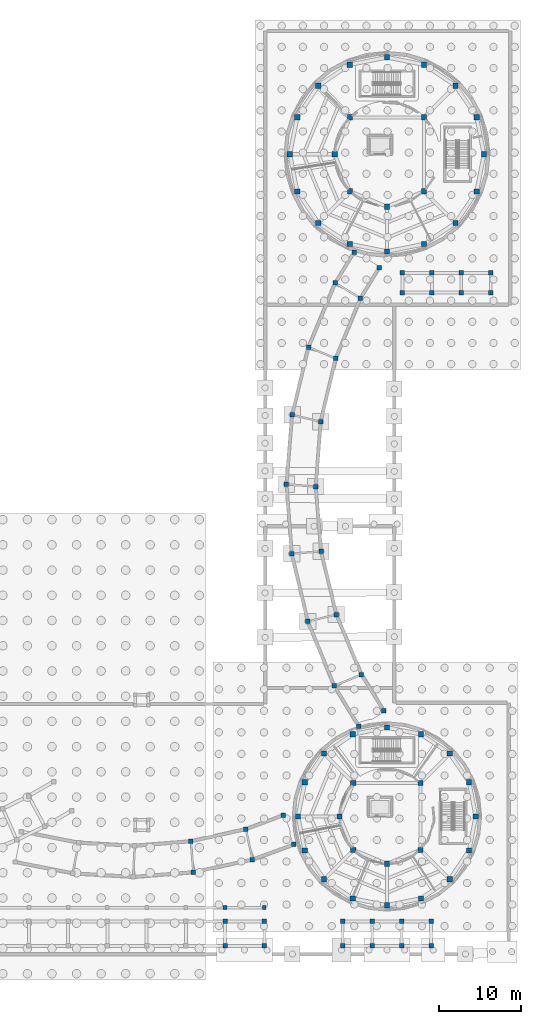
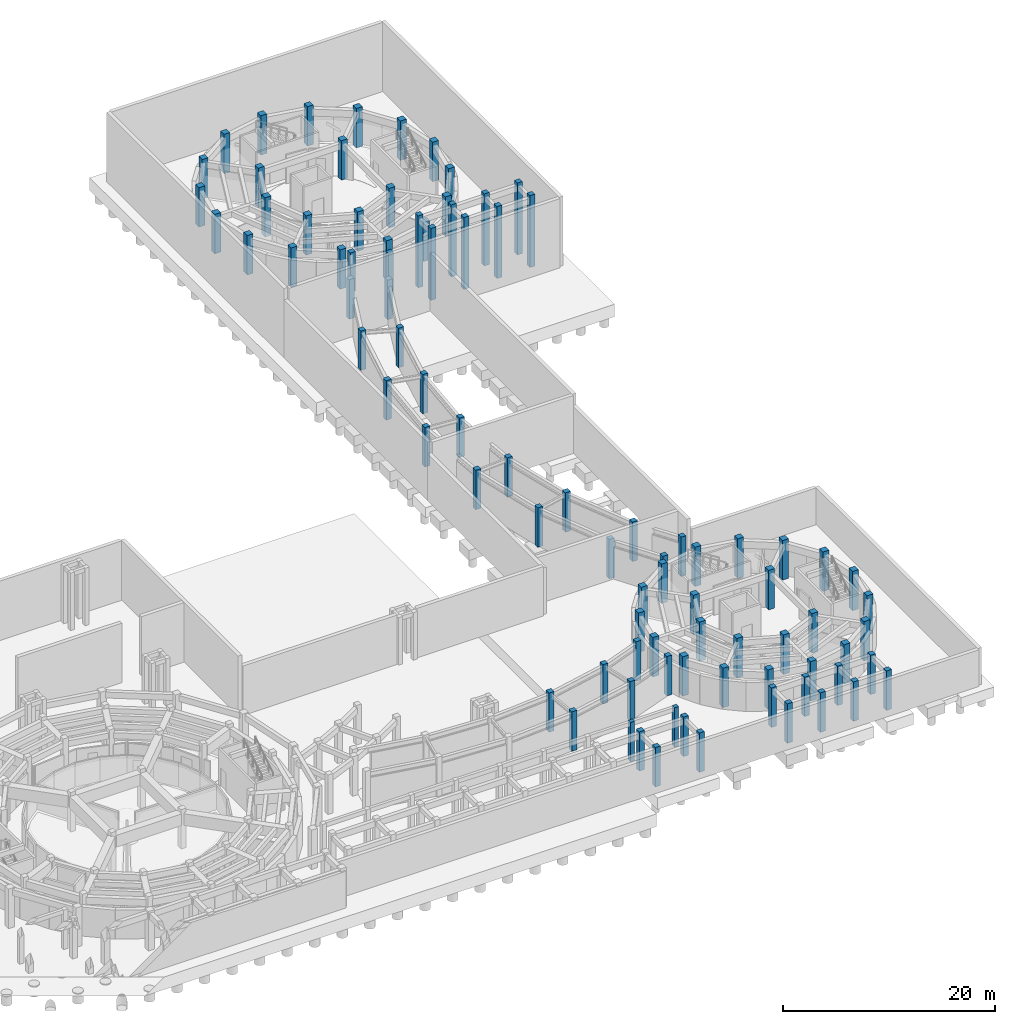
# One storey, part 13 of 57: 90 columns.
"""IFC4 building model written with IfcOpenShell, lengths in metres."""

from ifc_helpers import new_model, si_unit, direction, frame, origin, origin_2d, place, context, subcontext, project, spatial, rectangle, extrude, material, material_profile, profile_set, type_object, element, save


model = new_model("IFC4")

# Units and contexts
model_context = context("Model", 3, precision=1e-05, world=origin(), true_north=direction((0.0, 1.0)))
body_context = subcontext(model_context, "Body", "Model", "MODEL_VIEW")
ifc_project = project(units=[si_unit("LENGTHUNIT", "METRE"), si_unit("AREAUNIT", "SQUARE_METRE"), si_unit("VOLUMEUNIT", "CUBIC_METRE"), si_unit("PLANEANGLEUNIT", "RADIAN"), si_unit("MASSUNIT", "GRAM", prefix="KILO")], contexts=[model_context])

# Site, building, storey
site_placement = place(None, origin())
site = spatial("IfcSite", under=ifc_project, at=site_placement, CompositionType="ELEMENT")
building_placement = place(site_placement, origin())
building = spatial("IfcBuilding", under=site, at=building_placement, Name="Aldenvaro Health Centre", CompositionType="ELEMENT")
storey_placement = place(building_placement, frame((0.0, 0.0, -4.550048828125)))
storey = spatial("IfcBuildingStorey", under=building, at=storey_placement, Name="B1", CompositionType="ELEMENT", Elevation=-4.550048828125)

# Columns
ifc_material = material(Name="Concrete f'c 40 MPa", Category="concrete")
ifc_material_profile_1 = material_profile(ifc_material, rectangle(XDim=0.449951171875, YDim=0.449951171875, at=origin_2d()), Name="RC 450x450", Category="concrete")
ifc_profile_set_1 = profile_set([ifc_material_profile_1], Name="Concrete f'c 40 MPa")
column_type_1 = type_object("IfcColumnType", Name="COL-RC-450", PredefinedType="COLUMN", material=ifc_profile_set_1)
for number, where, z_axis, x_axis, name in (
    (1, (134.699951171875, 7.35009765625, 0.0), (0.0, 0.0, 1.0), (1.0, 0.0, 0.0), "Courtyard Screen E Substructure Pier 8"),
    (2, (139.5, 7.35009765625, 0.0), (0.0, 0.0, 1.0), (1.0, 0.0, 0.0), "Courtyard Screen E Substructure Pier 9"),
):
    element("IfcColumn", number, at=place(storey_placement, frame(where, z_axis=z_axis, x_axis=x_axis)), inside=storey, type_object=column_type_1, Name=name, PredefinedType="COLUMN", context=body_context, shape_type="SweptSolid", body=[
        extrude(rectangle(XDim=0.449951171875, YDim=0.449951171875, at=origin_2d()), origin(), (0.0, 0.0, 1.0), 4.550048828125),
    ])
ifc_material_profile_2 = material_profile(ifc_material, rectangle(XDim=0.550048828125, YDim=0.550048828125, at=origin_2d()), Name="RC 550x550", Category="concrete")
ifc_profile_set_2 = profile_set([ifc_material_profile_2], Name="Concrete f'c 40 MPa")
column_type_2 = type_object("IfcColumnType", Name="COL-RC-550", PredefinedType="COLUMN", material=ifc_profile_set_2)
for number, where, z_axis, x_axis, name in (
    (3, (130.52001953125, 15.45703125, 0.0), (0.0, 0.0, 1.0), (1.0, 0.0, 0.0), "South East Curved Peristyle Walkway Arc 3 B1 column 2.1"),
    (4, (130.818115234375, 11.6689453125, 0.0), (0.0, 0.0, 1.0), (1.0, 0.0, 0.0), "South East Curved Peristyle Walkway Arc 3 B1 column 2.2"),
    (5, (137.241943359375, 16.94091796875, 0.0), (0.0, 0.0, 1.0), (1.0, 0.0, 0.0), "South East Curved Peristyle Walkway Arc 4 B1 column 2.1"),
    (6, (138.052001953125, 13.22900390625, 0.0), (0.0, 0.0, 1.0), (1.0, 0.0, 0.0), "South East Curved Peristyle Walkway Arc 4 B1 column 2.2"),
    (7, (141.822998046875, 18.635986328125, 0.0), (0.0, 0.0, 1.0), (1.0, 0.0, 0.0), "South East Curved Peristyle Walkway Arc 5 B1 column 2.1"),
    (8, (143.12890625, 15.068115234375, 0.0), (0.0, 0.0, 1.0), (1.0, 0.0, 0.0), "South East Curved Peristyle Walkway Arc 5 B1 column 2.2"),
    (9, (153.55810546875, 85.64892578125, 0.0), (0.0, 0.0, 1.0), (1.0, 0.0, 0.0), "East Curved Garden Colonnade Arc 1 B1 column 1.1"),
    (10, (150.488037109375, 87.530029296875, 0.0), (0.0, 0.0, 1.0), (1.0, 0.0, 0.0), "East Curved Garden Colonnade Arc 1 B1 column 1.2"),
    (11, (151.257080078125, 81.89404296875, 0.0), (0.0, 0.0, 1.0), (1.0, 0.0, 0.0), "East Curved Garden Colonnade Arc 1 B1 column 2.1"),
    (12, (148.18701171875, 83.77587890625, 0.0), (0.0, 0.0, 1.0), (1.0, 0.0, 0.0), "East Curved Garden Colonnade Arc 1 B1 column 2.2"),
    (13, (148.23291015625, 74.533935546875, 0.0), (0.0, 0.0, 1.0), (1.0, 0.0, 0.0), "East Curved Garden Colonnade Arc 2 B1 column 2.1"),
    (14, (144.906982421875, 75.912109375, 0.0), (0.0, 0.0, 1.0), (1.0, 0.0, 0.0), "East Curved Garden Colonnade Arc 2 B1 column 2.2"),
    (15, (146.39599609375, 66.79296875, 0.0), (0.0, 0.0, 1.0), (1.0, 0.0, 0.0), "East Curved Garden Colonnade Arc 3 B1 column 2.1"),
    (16, (142.89599609375, 67.633056640625, 0.0), (0.0, 0.0, 1.0), (1.0, 0.0, 0.0), "East Curved Garden Colonnade Arc 3 B1 column 2.2"),
    (17, (145.7939453125, 58.85888671875, 0.0), (0.0, 0.0, 1.0), (1.0, 0.0, 0.0), "East Curved Garden Colonnade Arc 4 B1 column 2.1"),
    (18, (142.2060546875, 59.14111328125, 0.0), (0.0, 0.0, 1.0), (1.0, 0.0, 0.0), "East Curved Garden Colonnade Arc 4 B1 column 2.2"),
    (19, (146.43994140625, 50.927978515625, 0.0), (0.0, 0.0, 1.0), (1.0, 0.0, 0.0), "East Curved Garden Colonnade Arc 5 B1 column 2.1"),
    (20, (142.85205078125, 50.64599609375, 0.0), (0.0, 0.0, 1.0), (1.0, 0.0, 0.0), "East Curved Garden Colonnade Arc 5 B1 column 2.2"),
    (21, (148.320068359375, 43.197021484375, 0.0), (0.0, 0.0, 1.0), (1.0, 0.0, 0.0), "East Curved Garden Colonnade Arc 6 B1 column 2.1"),
    (22, (144.820068359375, 42.35693359375, 0.0), (0.0, 0.0, 1.0), (1.0, 0.0, 0.0), "East Curved Garden Colonnade Arc 6 B1 column 2.2"),
    (23, (151.385009765625, 35.85400390625, 0.0), (0.0, 0.0, 1.0), (1.0, 0.0, 0.0), "East Curved Garden Colonnade Arc 7 B1 column 2.1"),
    (24, (148.05908203125, 34.47607421875, 0.0), (0.0, 0.0, 1.0), (1.0, 0.0, 0.0), "East Curved Garden Colonnade Arc 7 B1 column 2.2"),
    (25, (154.125, 31.425048828125, 0.0), (0.0, 0.0, 1.0), (1.0, 0.0, 0.0), "East Curved Garden Colonnade Arc 8 B1 column 2.1"),
    (26, (151.055908203125, 29.5439453125, 0.0), (0.0, 0.0, 1.0), (1.0, 0.0, 0.0), "East Curved Garden Colonnade Arc 8 B1 column 2.2"),
    (27, (134.699951171875, 2.64990234375, 0.0), (0.0, 0.0, 1.0), (1.0, 0.0, 0.0), "South Stoa E Substructure Pier 8.1"),
    (28, (134.699951171875, 5.64990234375, 0.0), (0.0, 0.0, 1.0), (1.0, 0.0, 0.0), "South Stoa E Substructure Pier 8.2"),
    (29, (139.5, 2.64990234375, 0.0), (0.0, 0.0, 1.0), (1.0, 0.0, 0.0), "South Stoa E Substructure Pier 9.1"),
    (30, (139.5, 5.64990234375, 0.0), (0.0, 0.0, 1.0), (1.0, 0.0, 0.0), "South Stoa E Substructure Pier 9.2"),
    (31, (149.10009765625, 2.64990234375, 0.0), (0.0, 0.0, 1.0), (1.0, 0.0, 0.0), "Pavilion Portico E6 Substructure Pier 1.1"),
    (32, (149.10009765625, 5.64990234375, 0.0), (0.0, 0.0, 1.0), (1.0, 0.0, 0.0), "Pavilion Portico E6 Substructure Pier 1.2"),
    (33, (152.699951171875, 2.64990234375, 0.0), (0.0, 0.0, 1.0), (1.0, 0.0, 0.0), "Pavilion Portico E6 Substructure Pier 2.1"),
    (34, (152.699951171875, 5.64990234375, 0.0), (0.0, 0.0, 1.0), (1.0, 0.0, 0.0), "Pavilion Portico E6 Substructure Pier 2.2"),
    (35, (156.300048828125, 2.64990234375, 0.0), (0.0, 0.0, 1.0), (1.0, 0.0, 0.0), "Pavilion Portico E6 Substructure Pier 3.1"),
    (36, (156.300048828125, 5.64990234375, 0.0), (0.0, 0.0, 1.0), (1.0, 0.0, 0.0), "Pavilion Portico E6 Substructure Pier 3.2"),
    (37, (159.89990234375, 2.64990234375, 0.0), (0.0, 0.0, 1.0), (1.0, 0.0, 0.0), "Pavilion Portico E6 Substructure Pier 4.1"),
    (38, (159.89990234375, 5.64990234375, 0.0), (0.0, 0.0, 1.0), (1.0, 0.0, 0.0), "Pavilion Portico E6 Substructure Pier 4.2"),
):
    element("IfcColumn", number, at=place(storey_placement, frame(where, z_axis=z_axis, x_axis=x_axis)), inside=storey, type_object=column_type_2, Name=name, PredefinedType="COLUMN", context=body_context, shape_type="SweptSolid", body=[
        extrude(rectangle(XDim=0.550048828125, YDim=0.550048828125, at=origin_2d()), origin(), (0.0, 0.0, 1.0), 4.550048828125),
    ])
for number, where, z_axis, x_axis, name in (
    (39, (156.39990234375, 82.60009765625, 0.0), (0.0, 0.0, 1.0), (1.0, 0.0, 0.0), "Bastion Portico N2 Substructure Pier 1.1"),
    (40, (156.39990234375, 85.0, 0.0), (0.0, 0.0, 1.0), (1.0, 0.0, 0.0), "Bastion Portico N2 Substructure Pier 1.2"),
    (41, (160.0, 82.60009765625, 0.0), (0.0, 0.0, 1.0), (1.0, 0.0, 0.0), "Bastion Portico N2 Substructure Pier 2.1"),
    (42, (160.0, 85.0, 0.0), (0.0, 0.0, 1.0), (1.0, 0.0, 0.0), "Bastion Portico N2 Substructure Pier 2.2"),
    (43, (163.60009765625, 82.60009765625, 0.0), (0.0, 0.0, 1.0), (1.0, 0.0, 0.0), "Bastion Portico N2 Substructure Pier 3.1"),
    (44, (163.60009765625, 85.0, 0.0), (0.0, 0.0, 1.0), (1.0, 0.0, 0.0), "Bastion Portico N2 Substructure Pier 3.2"),
    (45, (167.199951171875, 82.60009765625, 0.0), (0.0, 0.0, 1.0), (1.0, 0.0, 0.0), "Bastion Portico N2 Substructure Pier 4.1"),
    (46, (167.199951171875, 85.0, 0.0), (0.0, 0.0, 1.0), (1.0, 0.0, 0.0), "Bastion Portico N2 Substructure Pier 4.2"),
):
    element("IfcColumn", number, at=place(storey_placement, frame(where, z_axis=z_axis, x_axis=x_axis)), inside=storey, type_object=column_type_2, Name=name, PredefinedType="COLUMN", context=body_context, shape_type="SweptSolid", body=[
        extrude(rectangle(XDim=0.550048828125, YDim=0.550048828125, at=origin_2d()), origin(), (0.0, 0.0, 1.0), 8.300048828125),
    ])
ifc_material_profile_3 = material_profile(ifc_material, rectangle(XDim=0.64990234375, YDim=0.64990234375, at=origin_2d()), Name="RC 650x650", Category="concrete")
ifc_profile_set_3 = profile_set([ifc_material_profile_3], Name="Concrete f'c 40 MPa")
column_type_3 = type_object("IfcColumnType", Name="COL-RC-650", PredefinedType="COLUMN", material=ifc_profile_set_3)
for number, where, z_axis, x_axis, name in (
    (47, (166.3798828125, 99.5, 0.0), (0.0, 0.0, 1.0), (1.0, 0.0, 0.0), "D2 B1 column OUT-01"),
    (48, (165.47607421875, 104.0458984375, 0.0), (0.0, 0.0, 1.0), (1.0, 0.0, 0.0), "D2 B1 column OUT-02"),
    (49, (162.89990234375, 107.89990234375, 0.0), (0.0, 0.0, 1.0), (1.0, 0.0, 0.0), "D2 B1 column OUT-03"),
    (50, (159.0458984375, 110.47607421875, 0.0), (0.0, 0.0, 1.0), (1.0, 0.0, 0.0), "D2 B1 column OUT-04"),
    (51, (154.5, 111.3798828125, 0.0), (0.0, 0.0, 1.0), (1.0, 0.0, 0.0), "D2 B1 column OUT-05"),
    (52, (149.9541015625, 110.47607421875, 0.0), (0.0, 0.0, 1.0), (1.0, 0.0, 0.0), "D2 B1 column OUT-06"),
    (53, (146.10009765625, 107.89990234375, 0.0), (0.0, 0.0, 1.0), (1.0, 0.0, 0.0), "D2 B1 column OUT-07"),
    (54, (143.52392578125, 104.0458984375, 0.0), (0.0, 0.0, 1.0), (1.0, 0.0, 0.0), "D2 B1 column OUT-08"),
    (55, (142.6201171875, 99.5, 0.0), (0.0, 0.0, 1.0), (1.0, 0.0, 0.0), "D2 B1 column OUT-09"),
    (56, (143.52392578125, 94.9541015625, 0.0), (0.0, 0.0, 1.0), (1.0, 0.0, 0.0), "D2 B1 column OUT-10"),
    (57, (146.10009765625, 91.10009765625, 0.0), (0.0, 0.0, 1.0), (1.0, 0.0, 0.0), "D2 B1 column OUT-11"),
    (58, (149.9541015625, 88.52392578125, 0.0), (0.0, 0.0, 1.0), (1.0, 0.0, 0.0), "D2 B1 column OUT-12"),
    (59, (154.5, 87.6201171875, 0.0), (0.0, 0.0, 1.0), (1.0, 0.0, 0.0), "D2 B1 column OUT-13"),
    (60, (159.0458984375, 88.52392578125, 0.0), (0.0, 0.0, 1.0), (1.0, 0.0, 0.0), "D2 B1 column OUT-14"),
    (61, (162.89990234375, 91.10009765625, 0.0), (0.0, 0.0, 1.0), (1.0, 0.0, 0.0), "D2 B1 column OUT-15"),
    (62, (165.47607421875, 94.9541015625, 0.0), (0.0, 0.0, 1.0), (1.0, 0.0, 0.0), "D2 B1 column OUT-16"),
    (63, (159.02490234375, 104.02490234375, 0.0), (0.0, 0.0, 1.0), (1.0, 0.0, 0.0), "D2 B1 column IN-01"),
    (64, (149.97509765625, 104.02490234375, 0.0), (0.0, 0.0, 1.0), (1.0, 0.0, 0.0), "D2 B1 column IN-02"),
    (65, (148.10009765625, 99.5, 0.0), (0.0, 0.0, 1.0), (1.0, 0.0, 0.0), "D2 B1 column IN-03"),
    (66, (149.97509765625, 94.97509765625, 0.0), (0.0, 0.0, 1.0), (1.0, 0.0, 0.0), "D2 B1 column IN-04"),
    (67, (154.5, 93.10009765625, 0.0), (0.0, 0.0, 1.0), (1.0, 0.0, 0.0), "D2 B1 column IN-05"),
    (68, (159.02490234375, 94.97509765625, 0.0), (0.0, 0.0, 1.0), (1.0, 0.0, 0.0), "D2 B1 column IN-06"),
    (69, (165.3798828125, 18.5, 0.0), (0.0, 0.0, 1.0), (1.0, 0.0, 0.0), "D6 B1 column OUT-01"),
    (70, (164.552001953125, 22.6640625, 0.0), (0.0, 0.0, 1.0), (1.0, 0.0, 0.0), "D6 B1 column OUT-02"),
    (71, (162.193115234375, 26.193115234375, 0.0), (0.0, 0.0, 1.0), (1.0, 0.0, 0.0), "D6 B1 column OUT-03"),
    (72, (158.6640625, 28.552001953125, 0.0), (0.0, 0.0, 1.0), (1.0, 0.0, 0.0), "D6 B1 column OUT-04"),
    (73, (154.5, 29.3798828125, 0.0), (0.0, 0.0, 1.0), (1.0, 0.0, 0.0), "D6 B1 column OUT-05"),
    (74, (150.3359375, 28.552001953125, 0.0), (0.0, 0.0, 1.0), (1.0, 0.0, 0.0), "D6 B1 column OUT-06"),
    (75, (146.806884765625, 26.193115234375, 0.0), (0.0, 0.0, 1.0), (1.0, 0.0, 0.0), "D6 B1 column OUT-07"),
    (76, (144.447998046875, 22.6640625, 0.0), (0.0, 0.0, 1.0), (1.0, 0.0, 0.0), "D6 B1 column OUT-08"),
    (77, (143.6201171875, 18.5, 0.0), (0.0, 0.0, 1.0), (1.0, 0.0, 0.0), "D6 B1 column OUT-09"),
    (78, (144.447998046875, 14.3359375, 0.0), (0.0, 0.0, 1.0), (1.0, 0.0, 0.0), "D6 B1 column OUT-10"),
    (79, (146.806884765625, 10.806884765625, 0.0), (0.0, 0.0, 1.0), (1.0, 0.0, 0.0), "D6 B1 column OUT-11"),
    (80, (150.3359375, 8.447998046875, 0.0), (0.0, 0.0, 1.0), (1.0, 0.0, 0.0), "D6 B1 column OUT-12"),
    (81, (154.5, 7.6201171875, 0.0), (0.0, 0.0, 1.0), (1.0, 0.0, 0.0), "D6 B1 column OUT-13"),
    (82, (158.6640625, 8.447998046875, 0.0), (0.0, 0.0, 1.0), (1.0, 0.0, 0.0), "D6 B1 column OUT-14"),
    (83, (162.193115234375, 10.806884765625, 0.0), (0.0, 0.0, 1.0), (1.0, 0.0, 0.0), "D6 B1 column OUT-15"),
    (84, (164.552001953125, 14.3359375, 0.0), (0.0, 0.0, 1.0), (1.0, 0.0, 0.0), "D6 B1 column OUT-16"),
    (85, (158.60107421875, 22.60107421875, 0.0), (0.0, 0.0, 1.0), (1.0, 0.0, 0.0), "D6 B1 column IN-01"),
    (86, (150.39892578125, 22.60107421875, 0.0), (0.0, 0.0, 1.0), (1.0, 0.0, 0.0), "D6 B1 column IN-02"),
    (87, (148.699951171875, 18.5, 0.0), (0.0, 0.0, 1.0), (1.0, 0.0, 0.0), "D6 B1 column IN-03"),
    (88, (150.39892578125, 14.39892578125, 0.0), (0.0, 0.0, 1.0), (1.0, 0.0, 0.0), "D6 B1 column IN-04"),
    (89, (154.5, 12.699951171875, 0.0), (0.0, 0.0, 1.0), (1.0, 0.0, 0.0), "D6 B1 column IN-05"),
    (90, (158.60107421875, 14.39892578125, 0.0), (0.0, 0.0, 1.0), (1.0, 0.0, 0.0), "D6 B1 column IN-06"),
):
    element("IfcColumn", number, at=place(storey_placement, frame(where, z_axis=z_axis, x_axis=x_axis)), inside=storey, type_object=column_type_3, Name=name, PredefinedType="COLUMN", context=body_context, shape_type="SweptSolid", body=[
        extrude(rectangle(XDim=0.64990234375, YDim=0.64990234375, at=origin_2d()), origin(), (0.0, 0.0, 1.0), 4.550048828125),
    ])

save(model, "model.ifc")
